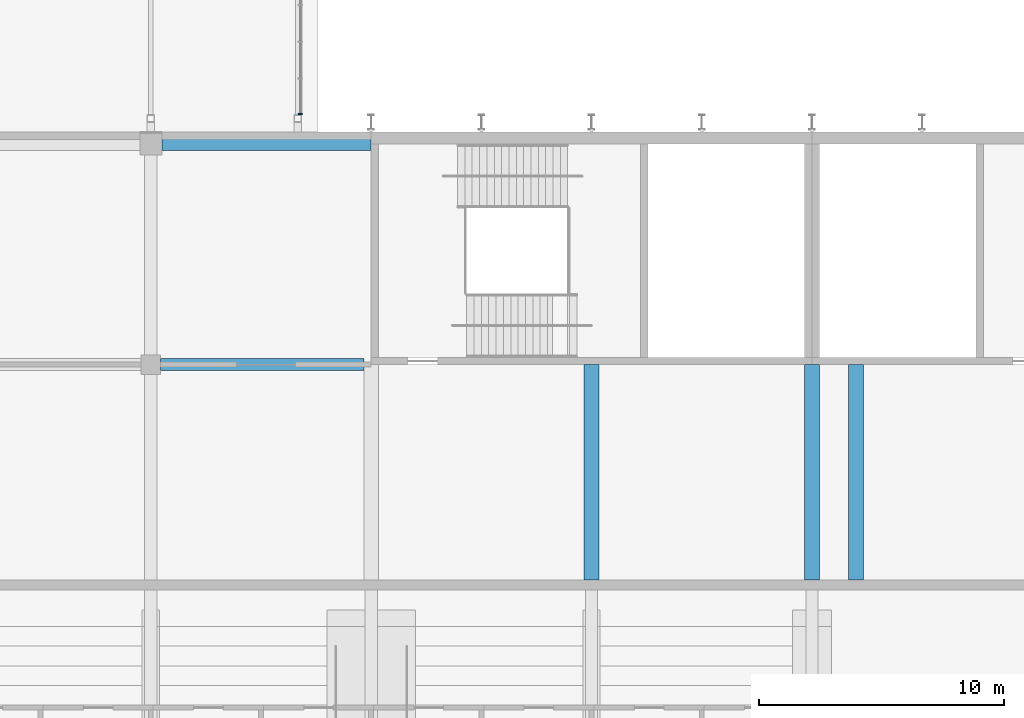
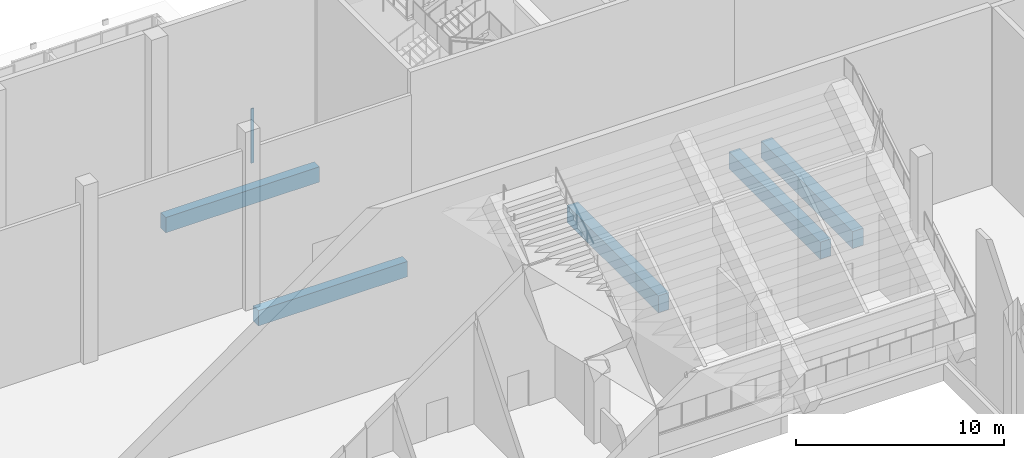
# One storey, part 60 of 182: 5 beams, 1 member, 1 element without a shape of its own.
"""IFC4 building model written with IfcOpenShell, lengths in metres."""

from ifc_helpers import new_model, si_unit, direction, frame, origin, origin_2d, place, context, subcontext, project, spatial, rectangle, extrude, material, material_profile, profile_set, type_object, element, aggregate, save


model = new_model("IFC4")

# Units and contexts
model_context = context("Model", 3, precision=1e-05, world=origin(), true_north=direction((0.0, 1.0)))
body_context = subcontext(model_context, "Body", "Model", "MODEL_VIEW")
ifc_project = project(units=[si_unit("LENGTHUNIT", "METRE"), si_unit("AREAUNIT", "SQUARE_METRE"), si_unit("VOLUMEUNIT", "CUBIC_METRE"), si_unit("PLANEANGLEUNIT", "RADIAN"), si_unit("MASSUNIT", "GRAM", prefix="KILO")], contexts=[model_context])

# Site, building, storey
site_placement = place(None, origin())
site = spatial("IfcSite", under=ifc_project, at=site_placement, CompositionType="ELEMENT")
building_placement = place(site_placement, origin())
building = spatial("IfcBuilding", under=site, at=building_placement, Name="Silverbay Arena", CompositionType="ELEMENT")
storey_placement = place(building_placement, frame((0.0, 0.0, 11.5)))
storey = spatial("IfcBuildingStorey", under=building, at=storey_placement, Name="L02", CompositionType="ELEMENT", Elevation=11.5)

# Curtain wall, member
ifc_material_1 = material(Name="Aluminium framed curtain wall", Category="aluminium")
curtain_wall_type = type_object("IfcCurtainWallType", Name="Curtain wall 8950 x 3200", PredefinedType="NOTDEFINED", material=ifc_material_1)
curtain_wall_placement = place(storey_placement, origin())
curtain_wall = element("IfcCurtainWall", 1, at=curtain_wall_placement, inside=storey, type_object=curtain_wall_type, Name="North entrance hall N1 glazing SB", PredefinedType="NOTDEFINED")
ifc_material_2 = material(Name="Aluminium", Category="aluminium")
ifc_material_profile_1 = material_profile(ifc_material_2, rectangle(XDim=0.159912109375, YDim=0.06005859375, at=origin_2d()), Name="Mullion 60 x 160")
ifc_profile_set_1 = profile_set([ifc_material_profile_1], Name="Aluminium")
member_type = type_object("IfcMemberType", Name="Mullion 60 x 160", PredefinedType="MULLION", material=ifc_profile_set_1)
member_placement = place(storey_placement, frame((141.110107421875, 145.22998046875, 0.0), z_axis=(0.0, 0.0, 1.0), x_axis=(1.0, 0.0, 0.0)))
member = element("IfcMember", 2, at=member_placement, type_object=member_type, Name="CW47 mullion 7", PredefinedType="MULLION", context=body_context, shape_type="SweptSolid", body=[
    extrude(rectangle(XDim=0.159912109375, YDim=0.06005859375, at=origin_2d()), origin(), (0.0, 0.0, 1.0), 3.199951171875),
])
aggregate(curtain_wall, [member])

# Beams
ifc_material_3 = material(Name="Concrete Grade C45", Category="concrete")
ifc_material_profile_2 = material_profile(ifc_material_3, rectangle(XDim=0.5, YDim=0.89990234375, at=origin_2d()), Name="RC 500x900")
ifc_profile_set_2 = profile_set([ifc_material_profile_2], Name="Concrete Grade C45")
beam_type_1 = type_object("IfcBeamType", Name="RC beam 500x900", PredefinedType="BEAM", material=ifc_profile_set_2)
beam_1_placement = place(storey_placement, frame((135.39990234375, 135.0, -0.800048828125), z_axis=(1.0, 0.0, 0.0), x_axis=(0.0, 1.0, 0.0)))
element("IfcBeam", 3, at=beam_1_placement, inside=storey, type_object=beam_type_1, Name="Floor beam L02 168", PredefinedType="BEAM", context=body_context, shape_type="SweptSolid", body=[
    extrude(rectangle(XDim=0.5, YDim=0.89990234375, at=origin_2d()), origin(), (0.0, 0.0, 1.0), 8.300048828125),
])
beam_2_placement = place(storey_placement, frame((135.449951171875, 144.0, -0.800048828125), z_axis=(1.0, 0.0, 0.0), x_axis=(0.0, 1.0, 0.0)))
element("IfcBeam", 4, at=beam_2_placement, inside=storey, type_object=beam_type_1, Name="Floor beam L02 177", PredefinedType="BEAM", context=body_context, shape_type="SweptSolid", body=[
    extrude(rectangle(XDim=0.5, YDim=0.89990234375, at=origin_2d()), origin(), (0.0, 0.0, 1.0), 8.550048828125),
])
ifc_material_4 = material(Name="Concrete Grade C45", Category="concrete")
ifc_material_profile_3 = material_profile(ifc_material_4, rectangle(XDim=0.60009765625, YDim=1.0, at=origin_2d()), Name="RC 600x1000")
ifc_profile_set_3 = profile_set([ifc_material_profile_3], Name="Concrete Grade C45")
beam_type_2 = type_object("IfcBeamType", Name="RC beam 600x1000", PredefinedType="BEAM", material=ifc_profile_set_3)
for number, where, z_axis, x_axis, name in (
    (5, (153.0, 126.199951171875, -0.85009765625), (0.0, 1.0, 0.0), (-1.0, 0.0, 0.0), "Floor beam L02 292"),
    (6, (162.0, 126.199951171875, -0.85009765625), (0.0, 1.0, 0.0), (-1.0, 0.0, 0.0), "Floor beam L02 300"),
    (7, (163.800048828125, 126.199951171875, -0.85009765625), (0.0, 1.0, 0.0), (-1.0, 0.0, 0.0), "Floor beam L02 302"),
):
    element("IfcBeam", number, at=place(storey_placement, frame(where, z_axis=z_axis, x_axis=x_axis)), inside=storey, type_object=beam_type_2, Name=name, PredefinedType="BEAM", context=body_context, shape_type="SweptSolid", body=[
        extrude(rectangle(XDim=0.60009765625, YDim=1.0, at=origin_2d()), origin(), (0.0, 0.0, 1.0), 8.800048828125),
    ])

save(model, "model.ifc")
